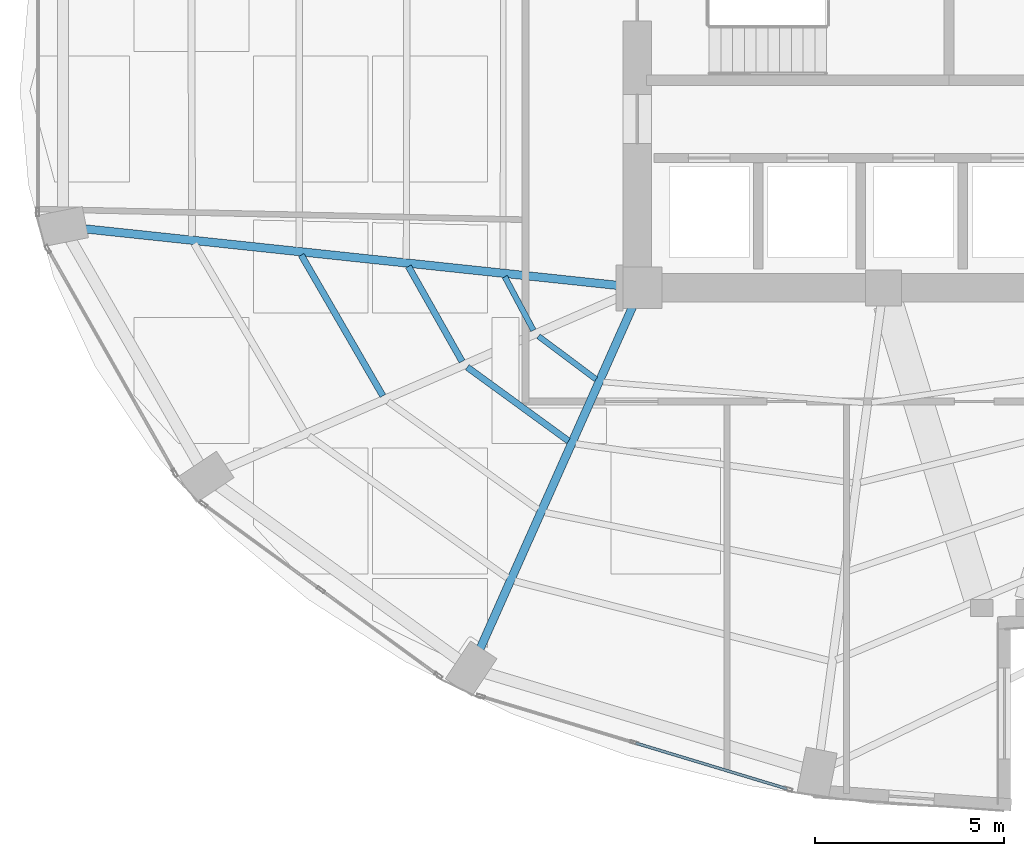
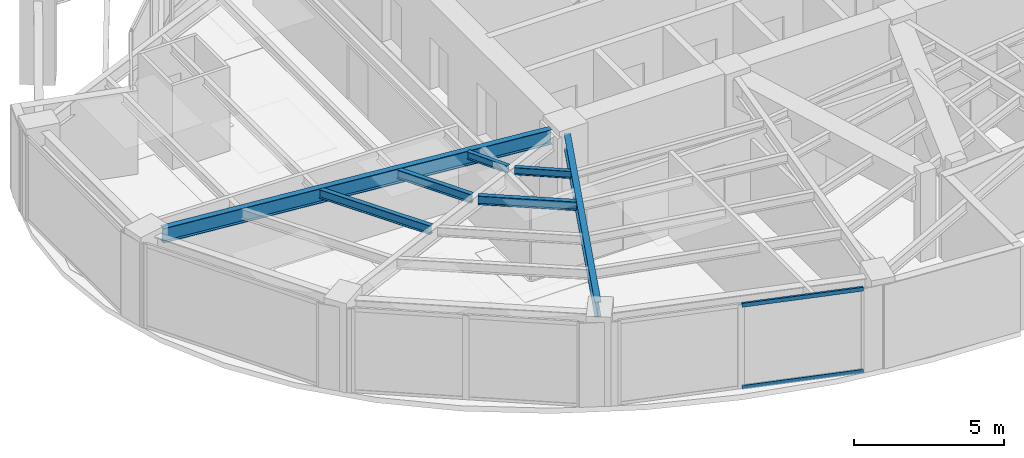
# One storey, part 4 of 24: 7 beams, 2 members, 1 element without a shape of its own.
"""IFC4 building model written with IfcOpenShell, lengths in metres."""

from ifc_helpers import new_model, si_unit, direction, frame, origin, origin_2d, place, context, subcontext, project, spatial, hollow_rectangle, i_section, extrude, material, layer, layer_set, material_profile, profile_set, type_object, element, aggregate, save


model = new_model("IFC4")

# Units and contexts
model_context = context("Model", 3, precision=1e-05, world=origin(), true_north=direction((0.0, 1.0)))
body_context = subcontext(model_context, "Body", "Model", "MODEL_VIEW")
ifc_project = project(units=[si_unit("LENGTHUNIT", "METRE"), si_unit("AREAUNIT", "SQUARE_METRE"), si_unit("VOLUMEUNIT", "CUBIC_METRE"), si_unit("PLANEANGLEUNIT", "RADIAN"), si_unit("MASSUNIT", "GRAM", prefix="KILO")], contexts=[model_context])

# Site, building, storey
site_placement = place(None, origin())
site = spatial("IfcSite", under=ifc_project, at=site_placement, CompositionType="ELEMENT")
building_placement = place(site_placement, origin())
building = spatial("IfcBuilding", under=site, at=building_placement, Name="Lazwardi Medical Tower", CompositionType="ELEMENT")
storey_placement = place(building_placement, frame((0.0, 0.0, 118.22412109375)))
storey = spatial("IfcBuildingStorey", under=building, at=storey_placement, Name="L30", CompositionType="ELEMENT", Elevation=118.22412109375)

# Beams
ifc_material_1 = material(Name="Steel S355", Category="steel")
ifc_material_profile_1 = material_profile(ifc_material_1, i_section(OverallWidth=0.219970703125, OverallDepth=0.60009765625, WebThickness=0.011962890625, FlangeThickness=0.01904296875, at=origin_2d()), Name="IPE 600")
ifc_profile_set_1 = profile_set([ifc_material_profile_1], Name="Steel S355")
beam_type_1 = type_object("IfcBeamType", Name="BM-RG-W1", PredefinedType="BEAM", material=ifc_profile_set_1)
beam_1_placement = place(storey_placement, frame((11.7138671875, 21.958984375, 3.1279296875), z_axis=(0.994413340753, -0.10555618282, 0.0), x_axis=(0.10555618282, 0.994413340753, 0.0)))
element("IfcBeam", 1, at=beam_1_placement, inside=storey, type_object=beam_type_1, Name="Radial girder RG-02 R13 L30", PredefinedType="BEAM", context=body_context, shape_type="SweptSolid", body=[
    extrude(i_section(OverallWidth=0.219970703125, OverallDepth=0.60009765625, WebThickness=0.011962890625, FlangeThickness=0.01904296875, at=origin_2d()), origin(), (0.0, 0.0, 1.0), 14.233642578125),
])
beam_2_placement = place(storey_placement, frame((22.152587890625, 10.872314453125, 3.1279296875), z_axis=(0.407165924957, 0.913354208155, 0.0), x_axis=(-0.913354208155, 0.407165924957, 0.0)))
element("IfcBeam", 2, at=beam_2_placement, inside=storey, type_object=beam_type_1, Name="Radial girder RG-02 R15 L30", PredefinedType="BEAM", context=body_context, shape_type="SweptSolid", body=[
    extrude(i_section(OverallWidth=0.219970703125, OverallDepth=0.60009765625, WebThickness=0.011962890625, FlangeThickness=0.01904296875, at=origin_2d()), origin(), (0.0, 0.0, 1.0), 9.896484375),
])
ifc_material_profile_2 = material_profile(ifc_material_1, i_section(OverallWidth=0.169921875, OverallDepth=0.360107421875, WebThickness=0.008056640625, FlangeThickness=0.0126953125, at=origin_2d()), Name="IPE 360")
ifc_profile_set_2 = profile_set([ifc_material_profile_2], Name="Steel S355")
beam_type_2 = type_object("IfcBeamType", Name="BM-SJ-02", PredefinedType="JOIST", material=ifc_profile_set_2)
beam_3_placement = place(storey_placement, frame((17.42822265625, 21.26708984375, 3.247802734375), z_axis=(0.501365325212, -0.865235696602, 0.0), x_axis=(0.865235696602, 0.501365325212, 0.0)))
element("IfcBeam", 3, at=beam_3_placement, inside=storey, type_object=beam_type_2, Name="Secondary joist SJ-02 R2 B13 L30", PredefinedType="JOIST", context=body_context, shape_type="SweptSolid", body=[
    extrude(i_section(OverallWidth=0.169921875, OverallDepth=0.360107421875, WebThickness=0.008056640625, FlangeThickness=0.0126953125, at=origin_2d()), origin(), (0.0, 0.0, 1.0), 4.298828125),
])
beam_4_placement = place(storey_placement, frame((20.258056640625, 20.966064453125, 3.247802734375), z_axis=(0.492026539517, -0.870580199873, 0.0), x_axis=(0.870580199873, 0.492026539517, 0.0)))
element("IfcBeam", 4, at=beam_4_placement, inside=storey, type_object=beam_type_2, Name="Secondary joist SJ-02 R3 B13 L30", PredefinedType="JOIST", context=body_context, shape_type="SweptSolid", body=[
    extrude(i_section(OverallWidth=0.169921875, OverallDepth=0.360107421875, WebThickness=0.008056640625, FlangeThickness=0.0126953125, at=origin_2d()), origin(), (0.0, 0.0, 1.0), 2.880859375),
])
beam_5_placement = place(storey_placement, frame((21.81201171875, 18.3046875, 3.247802734375), z_axis=(0.808301737247, -0.588768461761, 0.0), x_axis=(0.588768461761, 0.808301737247, 0.0)))
element("IfcBeam", 5, at=beam_5_placement, inside=storey, type_object=beam_type_2, Name="Secondary joist SJ-02 R3 B14 L30", PredefinedType="JOIST", context=body_context, shape_type="SweptSolid", body=[
    extrude(i_section(OverallWidth=0.169921875, OverallDepth=0.360107421875, WebThickness=0.008056640625, FlangeThickness=0.0126953125, at=origin_2d()), origin(), (0.0, 0.0, 1.0), 3.307373046875),
])
ifc_material_profile_3 = material_profile(ifc_material_1, i_section(OverallWidth=0.14990234375, OverallDepth=0.300048828125, WebThickness=0.007080078125, FlangeThickness=0.0107421875, at=origin_2d()), Name="IPE 300")
ifc_profile_set_3 = profile_set([ifc_material_profile_3], Name="Steel S355")
beam_type_3 = type_object("IfcBeamType", Name="BM-SJ-03", PredefinedType="JOIST", material=ifc_profile_set_3)
beam_6_placement = place(storey_placement, frame((22.8037109375, 20.6943359375, 3.27783203125), z_axis=(0.471022344925, -0.882121278839, 0.0), x_axis=(0.882121278839, 0.471022344925, 0.0)))
element("IfcBeam", 6, at=beam_6_placement, inside=storey, type_object=beam_type_3, Name="Secondary joist SJ-03 R4 B13 L30", PredefinedType="JOIST", context=body_context, shape_type="SweptSolid", body=[
    extrude(i_section(OverallWidth=0.14990234375, OverallDepth=0.300048828125, WebThickness=0.007080078125, FlangeThickness=0.0107421875, at=origin_2d()), origin(), (0.0, 0.0, 1.0), 1.605224609375),
])
beam_7_placement = place(storey_placement, frame((23.693359375, 19.12255859375, 3.27783203125), z_axis=(0.800447687995, -0.599402618265, 0.0), x_axis=(0.599402618265, 0.800447687995, 0.0)))
element("IfcBeam", 7, at=beam_7_placement, inside=storey, type_object=beam_type_3, Name="Secondary joist SJ-03 R4 B14 L30", PredefinedType="JOIST", context=body_context, shape_type="SweptSolid", body=[
    extrude(i_section(OverallWidth=0.14990234375, OverallDepth=0.300048828125, WebThickness=0.007080078125, FlangeThickness=0.0107421875, at=origin_2d()), origin(), (0.0, 0.0, 1.0), 1.896728515625),
])

# Curtain wall, members
ifc_material_2 = material(Name="Anodised bronze aluminium and solar control glazing", Category="aluminium")
ifc_layer = layer(ifc_material_2, 0.195068359375)
ifc_layer_set = layer_set([ifc_layer], Name="Anodised bronze aluminium and solar control glazing")
curtain_wall_type = type_object("IfcCurtainWallType", Name="CW-SYS-03", PredefinedType="NOTDEFINED", material=ifc_layer_set)
curtain_wall_placement = place(storey_placement, origin())
curtain_wall = element("IfcCurtainWall", 8, at=curtain_wall_placement, inside=storey, type_object=curtain_wall_type, Name="L30 Unitised bronze curtain wall CW-03", PredefinedType="NOTDEFINED")
ifc_material_3 = material(Name="Anodised bronze aluminium", Category="aluminium")
ifc_material_profile_4 = material_profile(ifc_material_3, hollow_rectangle(XDim=0.074951171875, YDim=0.159912109375, WallThickness=0.00390625, at=origin_2d()), Name="ALU-TRANSOM 160x75x4")
ifc_profile_set_4 = profile_set([ifc_material_profile_4], Name="Anodised bronze aluminium")
member_type = type_object("IfcMemberType", Name="CW-TRN-01", PredefinedType="USERDEFINED", material=ifc_profile_set_4)
member_1_placement = place(storey_placement, frame((26.2666015625, 8.3759765625, 0.037353515625), z_axis=(0.957220865985, -0.289358279168, 0.0), x_axis=(0.289358279168, 0.957220865985, 0.0)))
member_1 = element("IfcMember", 9, at=member_1_placement, type_object=member_type, Name="CW-03 transom 2.1", ObjectType="TRANSOM", PredefinedType="USERDEFINED", context=body_context, shape_type="SweptSolid", body=[
    extrude(hollow_rectangle(XDim=0.074951171875, YDim=0.159912109375, WallThickness=0.00390625, at=origin_2d()), origin(), (0.0, 0.0, 1.0), 4.16552734375),
])
member_2_placement = place(storey_placement, frame((26.2666015625, 8.3759765625, 3.390380859375), z_axis=(0.957220865985, -0.289358279168, 0.0), x_axis=(0.289358279168, 0.957220865985, 0.0)))
member_2 = element("IfcMember", 10, at=member_2_placement, type_object=member_type, Name="CW-03 transom 2.2", ObjectType="TRANSOM", PredefinedType="USERDEFINED", context=body_context, shape_type="SweptSolid", body=[
    extrude(hollow_rectangle(XDim=0.074951171875, YDim=0.159912109375, WallThickness=0.00390625, at=origin_2d()), origin(), (0.0, 0.0, 1.0), 4.16552734375),
])
aggregate(curtain_wall, [member_1, member_2])

save(model, "model.ifc")
